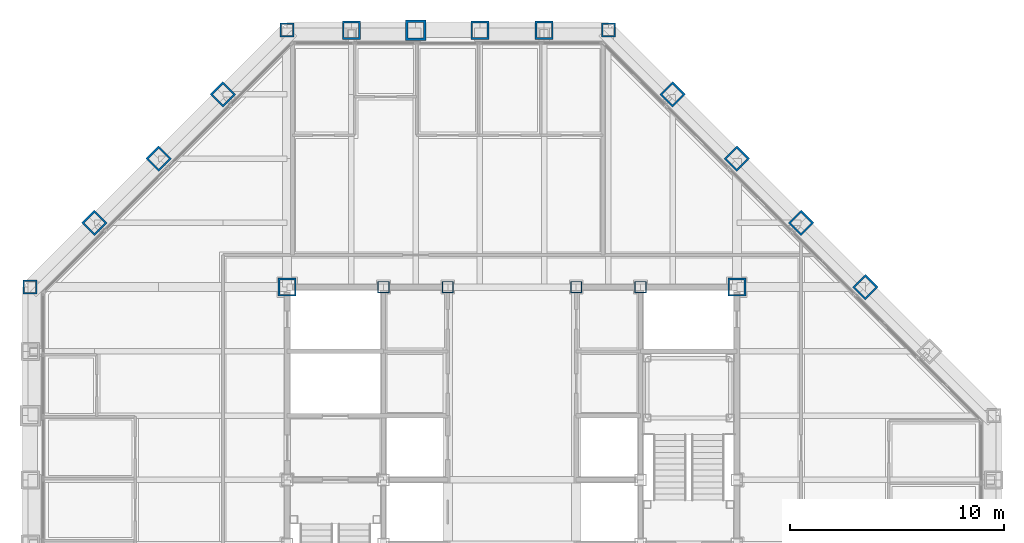
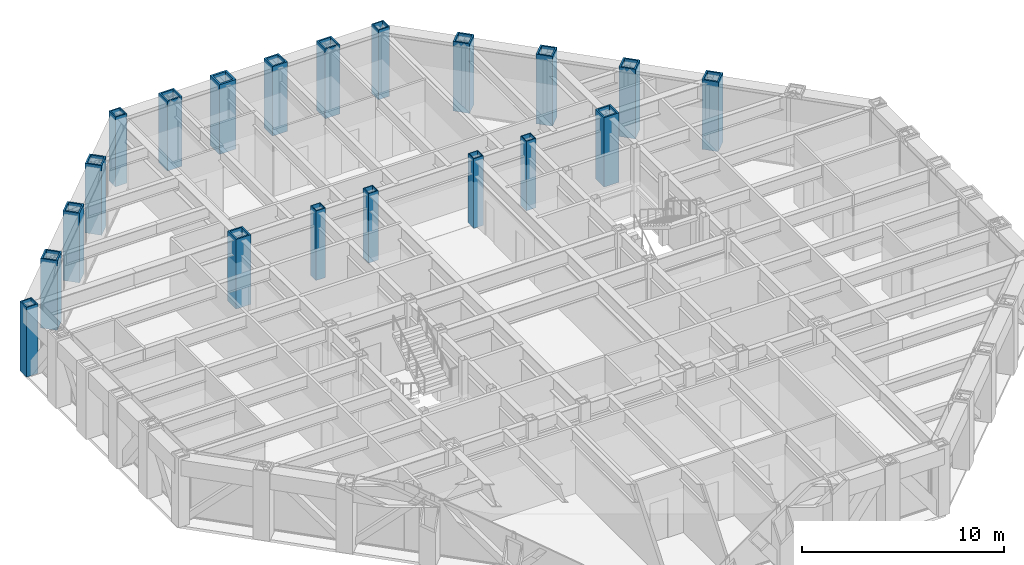
# One storey, part 4 of 16: 20 columns.
"""IFC4 building model written with IfcOpenShell, lengths in metres."""

from ifc_helpers import new_model, si_unit, direction, frame, origin, origin_2d, place, context, subcontext, project, spatial, hollow_rectangle, extrude, material, material_profile, profile_set, type_object, element, save


model = new_model("IFC4")

# Units and contexts
model_context = context("Model", 3, precision=1e-05, world=origin(), true_north=direction((0.0, 1.0)))
body_context = subcontext(model_context, "Body", "Model", "MODEL_VIEW")
ifc_project = project(units=[si_unit("LENGTHUNIT", "METRE"), si_unit("AREAUNIT", "SQUARE_METRE"), si_unit("VOLUMEUNIT", "CUBIC_METRE"), si_unit("PLANEANGLEUNIT", "RADIAN"), si_unit("MASSUNIT", "GRAM", prefix="KILO")], contexts=[model_context])

# Site, building, storey
site_placement = place(None, origin())
site = spatial("IfcSite", under=ifc_project, at=site_placement, CompositionType="ELEMENT")
building_placement = place(site_placement, origin())
building = spatial("IfcBuilding", under=site, at=building_placement, Name="Chuquiago Exchange Tower", CompositionType="ELEMENT")
storey_placement = place(building_placement, frame((0.0, 0.0, 247.5)))
storey = spatial("IfcBuildingStorey", under=building, at=storey_placement, Name="L55", CompositionType="ELEMENT", Elevation=247.5)

# Columns
ifc_material_1 = material(Name="Steel ASTM A572 Grade 50", Category="steel")
ifc_material_profile_1 = material_profile(ifc_material_1, hollow_rectangle(XDim=0.85009765625, YDim=0.85009765625, WallThickness=0.0849609375, at=origin_2d()), Name="BOX850X850X85")
ifc_profile_set_1 = profile_set([ifc_material_profile_1], Name="Steel ASTM A572 Grade 50")
column_type_1 = type_object("IfcColumnType", Name="C6 BOX850X850X85", PredefinedType="COLUMN", material=ifc_profile_set_1)
for number, where, z_axis, x_axis, name in (
    (1, (39.0, 33.0, 0.0), (0.0, 0.0, 1.0), (0.707106781187, 0.707106781187, 0.0), "COL-L55-39_33"),
    (2, (36.0, 36.0, 0.0), (0.0, 0.0, 1.0), (0.707106781187, 0.707106781187, 0.0), "COL-L55-36_36"),
    (3, (33.0, 39.0, 0.0), (0.0, 0.0, 1.0), (0.707106781187, 0.707106781187, 0.0), "COL-L55-33_39"),
    (4, (30.0, 42.0, 0.0), (0.0, 0.0, 1.0), (0.707106781187, 0.707106781187, 0.0), "COL-L55-30_42"),
    (5, (24.0, 45.0, 0.0), (0.0, 0.0, 1.0), (0.0, 1.0, 0.0), "COL-L55-24_45"),
    (6, (21.0, 45.0, 0.0), (0.0, 0.0, 1.0), (0.0, 1.0, 0.0), "COL-L55-21_45"),
    (7, (15.0, 45.0, 0.0), (0.0, 0.0, 1.0), (0.0, 1.0, 0.0), "COL-L55-15_45"),
    (8, (9.0, 42.0, 0.0), (0.0, 0.0, 1.0), (-0.707106781187, 0.707106781187, 0.0), "COL-L55-9_42"),
    (9, (6.0, 39.0, 0.0), (0.0, 0.0, 1.0), (-0.707106781187, 0.707106781187, 0.0), "COL-L55-6_39"),
    (10, (3.0, 36.0, 0.0), (0.0, 0.0, 1.0), (-0.707106781187, 0.707106781187, 0.0), "COL-L55-3_36"),
):
    element("IfcColumn", number, at=place(storey_placement, frame(where, z_axis=z_axis, x_axis=x_axis)), inside=storey, type_object=column_type_1, Name=name, PredefinedType="COLUMN", context=body_context, shape_type="SweptSolid", body=[
        extrude(hollow_rectangle(XDim=0.85009765625, YDim=0.85009765625, WallThickness=0.0849609375, at=origin_2d()), origin(), (0.0, 0.0, 1.0), 4.199951171875),
    ])
ifc_material_2 = material(Name="Steel ASTM A572 Grade 50", Category="steel")
ifc_material_profile_2 = material_profile(ifc_material_2, hollow_rectangle(XDim=0.85009765625, YDim=0.85009765625, WallThickness=0.0849609375, at=origin_2d()), Name="BOX850X850X85")
ifc_profile_set_2 = profile_set([ifc_material_profile_2], Name="Steel ASTM A572 Grade 50")
column_type_2 = type_object("IfcColumnType", Name="CC6 BOX850X850X85", PredefinedType="COLUMN", material=ifc_profile_set_2)
for number, where, z_axis, x_axis, name in (
    (11, (12.0, 33.0, 0.0), (0.0, 0.0, 1.0), (1.0, 0.0, 0.0), "CCOL-L55-12_33"),
    (12, (33.0, 33.0, 0.0), (0.0, 0.0, 1.0), (1.0, 0.0, 0.0), "CCOL-L55-33_33"),
):
    element("IfcColumn", number, at=place(storey_placement, frame(where, z_axis=z_axis, x_axis=x_axis)), inside=storey, type_object=column_type_2, Name=name, PredefinedType="COLUMN", context=body_context, shape_type="SweptSolid", body=[
        extrude(hollow_rectangle(XDim=0.85009765625, YDim=0.85009765625, WallThickness=0.0849609375, at=origin_2d()), origin(), (0.0, 0.0, 1.0), 4.199951171875),
    ])
ifc_material_3 = material(Name="Steel ASTM A572 Grade 50", Category="steel")
ifc_material_profile_3 = material_profile(ifc_material_3, hollow_rectangle(XDim=0.550048828125, YDim=0.550048828125, WallThickness=0.044921875, at=origin_2d()), Name="BOX550X550X45")
ifc_profile_set_3 = profile_set([ifc_material_profile_3], Name="Steel ASTM A572 Grade 50")
column_type_3 = type_object("IfcColumnType", Name="CC8 BOX550X550X45", PredefinedType="COLUMN", material=ifc_profile_set_3)
for number, where, z_axis, x_axis, name in (
    (13, (16.5, 33.0, 0.0), (0.0, 0.0, 1.0), (1.0, 0.0, 0.0), "CCOL-L55-16.5_33"),
    (14, (19.5, 33.0, 0.0), (0.0, 0.0, 1.0), (1.0, 0.0, 0.0), "CCOL-L55-19.5_33"),
    (15, (25.5, 33.0, 0.0), (0.0, 0.0, 1.0), (1.0, 0.0, 0.0), "CCOL-L55-25.5_33"),
    (16, (28.5, 33.0, 0.0), (0.0, 0.0, 1.0), (1.0, 0.0, 0.0), "CCOL-L55-28.5_33"),
):
    element("IfcColumn", number, at=place(storey_placement, frame(where, z_axis=z_axis, x_axis=x_axis)), inside=storey, type_object=column_type_3, Name=name, PredefinedType="COLUMN", context=body_context, shape_type="SweptSolid", body=[
        extrude(hollow_rectangle(XDim=0.550048828125, YDim=0.550048828125, WallThickness=0.044921875, at=origin_2d()), origin(), (0.0, 0.0, 1.0), 4.199951171875),
    ])
ifc_material_4 = material(Name="Steel ASTM A572 Grade 50", Category="steel")
ifc_material_profile_4 = material_profile(ifc_material_4, hollow_rectangle(XDim=0.64990234375, YDim=0.64990234375, WallThickness=0.06494140625, at=origin_2d()), Name="BOX650X650X65")
ifc_profile_set_4 = profile_set([ifc_material_profile_4], Name="Steel ASTM A572 Grade 50")
column_type_4 = type_object("IfcColumnType", Name="CN2 BOX650X650X65", PredefinedType="COLUMN", material=ifc_profile_set_4)
for number, where, z_axis, x_axis, name in (
    (17, (27.0, 45.0, 0.0), (0.0, 0.0, 1.0), (0.0, 1.0, 0.0), "COL-L55-27_45"),
    (18, (12.0, 45.0, 0.0), (0.0, 0.0, 1.0), (0.0, 1.0, 0.0), "COL-L55-12_45"),
    (19, (0.0, 33.0, 0.0), (0.0, 0.0, 1.0), (-1.0, 0.0, 0.0), "COL-L55-0_33"),
):
    element("IfcColumn", number, at=place(storey_placement, frame(where, z_axis=z_axis, x_axis=x_axis)), inside=storey, type_object=column_type_4, Name=name, PredefinedType="COLUMN", context=body_context, shape_type="SweptSolid", body=[
        extrude(hollow_rectangle(XDim=0.64990234375, YDim=0.64990234375, WallThickness=0.06494140625, at=origin_2d()), origin(), (0.0, 0.0, 1.0), 4.199951171875),
    ])
ifc_material_5 = material(Name="Steel ASTM A572 Grade 42", Category="steel")
ifc_material_profile_5 = material_profile(ifc_material_5, hollow_rectangle(XDim=0.949951171875, YDim=0.949951171875, WallThickness=0.110107421875, at=origin_2d()), Name="BOX950X950X110")
ifc_profile_set_5 = profile_set([ifc_material_profile_5], Name="Steel ASTM A572 Grade 42")
column_type_5 = type_object("IfcColumnType", Name="CT1 BOX950X950X110", PredefinedType="COLUMN", material=ifc_profile_set_5)
column_placement = place(storey_placement, frame((18.0, 45.0, 0.0), z_axis=(0.0, 0.0, 1.0), x_axis=(0.0, 1.0, 0.0)))
element("IfcColumn", 20, at=column_placement, inside=storey, type_object=column_type_5, Name="COL-L55-18_45", PredefinedType="COLUMN", context=body_context, shape_type="SweptSolid", body=[
    extrude(hollow_rectangle(XDim=0.949951171875, YDim=0.949951171875, WallThickness=0.110107421875, at=origin_2d()), origin(), (0.0, 0.0, 1.0), 4.199951171875),
])

save(model, "model.ifc")
